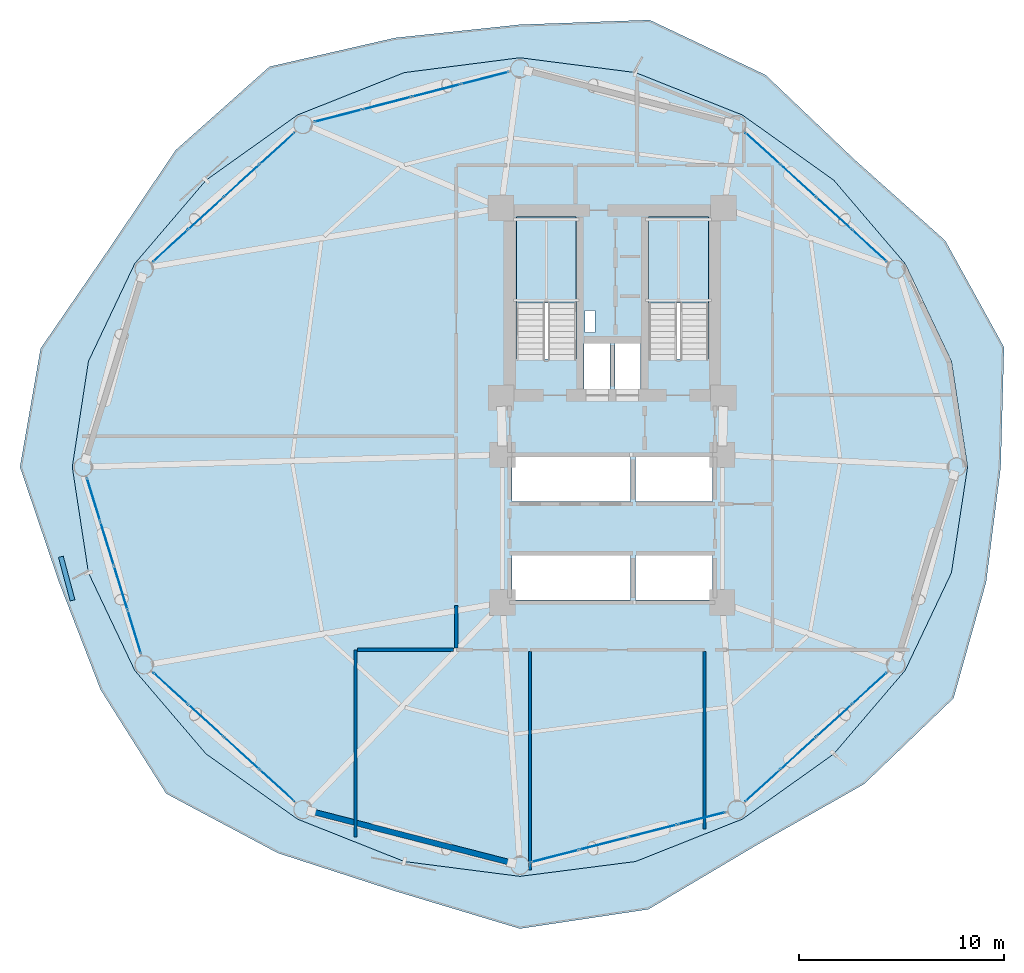
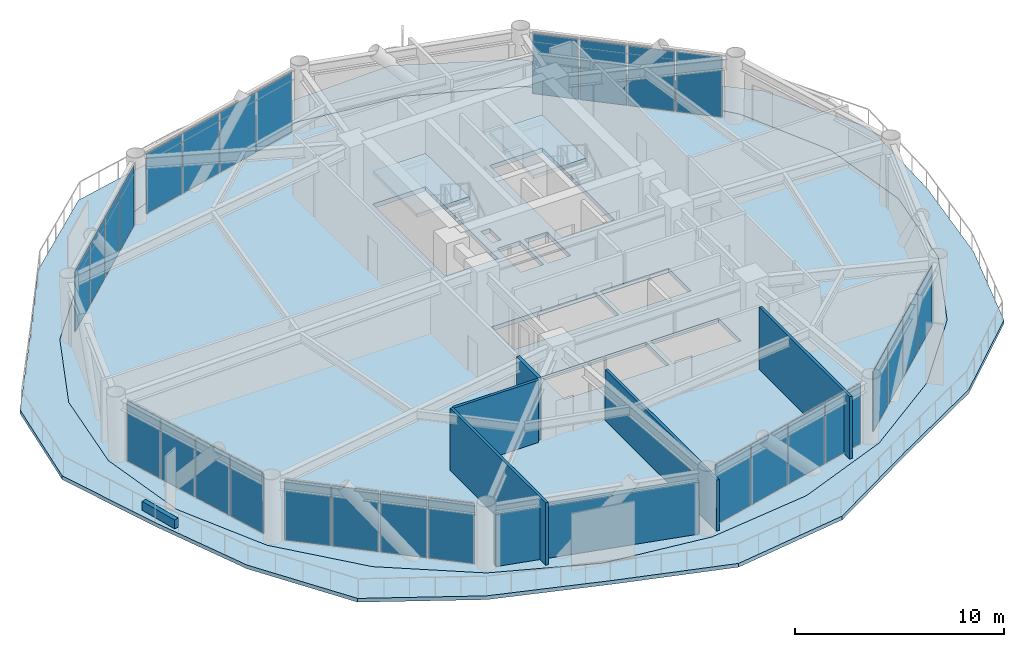
# One storey, part 19 of 25: 28 plates, 7 walls, 4 slabs, 9 elements without a shape of their own.
"""IFC4 building model written with IfcOpenShell, lengths in metres."""

from ifc_helpers import new_model, si_unit, direction, frame, frame_2d, origin, origin_2d, place, context, subcontext, project, spatial, polyline, rectangle, outline, extrude, source, transform, mapped, material, layer, layer_set, type_object, type_shapes, element, aggregate, save


model = new_model("IFC4")

# Units and contexts
model_context = context("Model", 3, precision=1e-05, world=origin(), true_north=direction((0.0, 1.0)))
body_context = subcontext(model_context, "Body", "Model", "MODEL_VIEW")
ifc_project = project(units=[si_unit("LENGTHUNIT", "METRE"), si_unit("AREAUNIT", "SQUARE_METRE"), si_unit("VOLUMEUNIT", "CUBIC_METRE"), si_unit("PLANEANGLEUNIT", "RADIAN"), si_unit("MASSUNIT", "GRAM", prefix="KILO")], contexts=[model_context])

# Site, building, storey
site_placement = place(None, origin())
site = spatial("IfcSite", under=ifc_project, at=site_placement, CompositionType="ELEMENT")
building_placement = place(site_placement, origin())
building = spatial("IfcBuilding", under=site, at=building_placement, Name="Varnakorn Sky Granary", CompositionType="ELEMENT")
storey_placement = place(building_placement, frame((0.0, 0.0, 54.89990234375)))
storey = spatial("IfcBuildingStorey", under=building, at=storey_placement, Name="L13", CompositionType="ELEMENT", Elevation=54.89990234375)

# Stair, slab
ifc_material_1 = material(Name="Concrete C40/50", Category="concrete")
stair_type = type_object("IfcStairType", Name="ST-MAIN-ASSEMBLY", PredefinedType="HALF_TURN_STAIR", material=ifc_material_1)
stair_1_placement = place(storey_placement, origin())
stair_1 = element("IfcStair", 1, at=stair_1_placement, inside=storey, type_object=stair_type, Name="L13 Protected Exit Stair ST-1", PredefinedType="HALF_TURN_STAIR")
ifc_layer_1 = layer(ifc_material_1, 0.199951171875, Name="Concrete C40/50")
ifc_layer_set_1 = layer_set([ifc_layer_1], Name="Concrete C40/50")
slab_type_1 = type_object("IfcSlabType", Name="ST-MAIN-LAND", PredefinedType="LANDING", material=ifc_layer_set_1)
slab_1_placement = place(storey_placement, frame((0.0, 0.0, 1.75)))
slab_1 = element("IfcSlab", 2, at=slab_1_placement, type_object=slab_type_1, Name="ST-1 landing 1", PredefinedType="LANDING", context=body_context, shape_type="SweptSolid", body=[
    extrude(outline(polyline([(1.239990234375, 8.0), (1.239990234375, 12.179931640625), (-1.669921875, 12.179931640625), (-1.669921875, 8.0), (1.239990234375, 8.0)])), origin(), (0.0, 0.0, 1.0), 0.2001953125),
])
aggregate(stair_1, [slab_1])

stair_2_placement = place(storey_placement, origin())
stair_2 = element("IfcStair", 3, at=stair_2_placement, inside=storey, type_object=stair_type, Name="L13 Protected Exit Stair ST-2", PredefinedType="HALF_TURN_STAIR")
slab_2_placement = place(storey_placement, frame((0.0, 0.0, 1.75)))
slab_2 = element("IfcSlab", 4, at=slab_2_placement, type_object=slab_type_1, Name="ST-2 landing 1", PredefinedType="LANDING", context=body_context, shape_type="SweptSolid", body=[
    extrude(outline(polyline([(7.679931640625, 8.0), (7.679931640625, 12.179931640625), (4.77001953125, 12.179931640625), (4.77001953125, 8.0), (7.679931640625, 8.0)])), origin(), (0.0, 0.0, 1.0), 0.2001953125),
])
aggregate(stair_2, [slab_2])

# Slabs
ifc_material_2 = material(Name="Precast concrete C40/50", Category="concrete")
ifc_layer_2 = layer(ifc_material_2, 0.219970703125, Name="Precast concrete C40/50")
ifc_layer_set_2 = layer_set([ifc_layer_2], Name="Precast concrete C40/50")
slab_type_2 = type_object("IfcSlabType", Name="ST-SL-DECK-220", PredefinedType="FLOOR", material=ifc_layer_set_2)
slab_3_placement = place(storey_placement, frame((0.0, 0.0, -0.219970703125)))
element("IfcSlab", 5, at=slab_3_placement, inside=storey, type_object=slab_type_2, Name="Wavy Sky-Farm Balcony Deck L13", PredefinedType="FLOOR", context=body_context, shape_type="SweptSolid", body=[
    extrude(outline(polyline([(21.917236328125, 0.0), (22.078857421875, 5.834716796875), (19.215087890625, 11.0263671875), (14.794677734375, 14.974365234375), (10.4599609375, 19.098388671875), (4.81787109375, 21.775390625), (-1.5, 21.55029296875), (-7.584716796875, 20.904541015625), (-13.693359375, 19.50244140625), (-18.26123046875, 15.441162109375), (-21.51513671875, 10.622314453125), (-24.845458984375, 5.772216796875), (-25.8505859375, 0.0), (-23.974609375, -5.538818359375), (-21.919189453125, -10.855712890625), (-18.727783203125, -15.90771484375), (-13.2890625, -18.802490234375), (-7.522216796875, -20.671142578125), (-1.5, -22.483642578125), (4.75537109375, -21.5419921875), (10.0556640625, -18.398193359375), (15.26123046875, -15.441162109375), (19.619384765625, -11.259765625), (21.2080078125, -5.601318359375), (21.917236328125, 0.0)]), holes=[polyline([(20.303955078125, 0.0), (19.517578125, 5.1484375), (17.265869140625, 9.90087890625), (13.79052734375, 13.97021484375), (9.33447265625, 17.14892578125), (4.131591796875, 19.214111328125), (-1.5, 19.93701171875), (-7.131591796875, 19.214111328125), (-12.33447265625, 17.14892578125), (-16.79052734375, 13.97021484375), (-20.265869140625, 9.90087890625), (-22.517578125, 5.1484375), (-23.303955078125, 0.0), (-22.517578125, -5.1484375), (-20.265869140625, -9.90087890625), (-16.79052734375, -13.97021484375), (-12.33447265625, -17.14892578125), (-7.131591796875, -19.214111328125), (-1.5, -19.93701171875), (4.131591796875, -19.214111328125), (9.33447265625, -17.14892578125), (13.79052734375, -13.97021484375), (17.265869140625, -9.90087890625), (19.517578125, -5.1484375), (20.303955078125, 0.0)])]), origin(), (0.0, 0.0, 1.0), 0.219970703125),
])
ifc_material_3 = material(Name="Concrete C50/60", Category="concrete")
ifc_layer_3 = layer(ifc_material_3, 0.260009765625, Name="Concrete C50/60")
ifc_layer_set_3 = layer_set([ifc_layer_3], Name="Concrete C50/60")
slab_type_3 = type_object("IfcSlabType", Name="ST-SL-TWR-260", PredefinedType="FLOOR", material=ifc_layer_set_3)
slab_4_placement = place(storey_placement, frame((0.0, 0.0, -0.260009765625)))
element("IfcSlab", 6, at=slab_4_placement, inside=storey, type_object=slab_type_3, Name="Level L13 Structural Floor Slab", PredefinedType="FLOOR", context=body_context, shape_type="SweptSolid", body=[
    extrude(outline(polyline([(20.303955078125, 0.0), (19.517578125, 5.1484375), (17.265869140625, 9.90087890625), (13.79052734375, 13.97021484375), (9.33447265625, 17.14892578125), (4.131591796875, 19.214111328125), (-1.5, 19.93701171875), (-7.131591796875, 19.214111328125), (-12.33447265625, 17.14892578125), (-16.79052734375, 13.97021484375), (-20.265869140625, 9.90087890625), (-22.517578125, 5.1484375), (-23.303955078125, 0.0), (-22.517578125, -5.1484375), (-20.265869140625, -9.90087890625), (-16.79052734375, -13.97021484375), (-12.33447265625, -17.14892578125), (-7.131591796875, -19.214111328125), (-1.5, -19.93701171875), (4.131591796875, -19.214111328125), (9.33447265625, -17.14892578125), (13.79052734375, -13.97021484375), (17.265869140625, -9.90087890625), (19.517578125, -5.1484375), (20.303955078125, 0.0)]), holes=[polyline([(1.239990234375, 5.27490234375), (1.239990234375, 12.179931640625), (-1.669921875, 12.179931640625), (-1.669921875, 5.27490234375), (1.239990234375, 5.27490234375)]), polyline([(7.679931640625, 5.27490234375), (7.679931640625, 12.179931640625), (4.77001953125, 12.179931640625), (4.77001953125, 5.27490234375), (7.679931640625, 5.27490234375)]), polyline([(1.659912109375, 6.550048828125), (2.14990234375, 6.550048828125), (2.14990234375, 7.6201171875), (1.659912109375, 7.6201171875), (1.659912109375, 6.550048828125)]), polyline([(1.6201171875, 3.739990234375), (2.8798828125, 3.739990234375), (2.8798828125, 6.010009765625), (1.6201171875, 6.010009765625), (1.6201171875, 3.739990234375)]), polyline([(3.1201171875, 3.739990234375), (4.3798828125, 3.739990234375), (4.3798828125, 6.010009765625), (3.1201171875, 6.010009765625), (3.1201171875, 3.739990234375)]), polyline([(-1.8798828125, -1.679931640625), (3.8798828125, -1.679931640625), (3.8798828125, 0.47998046875), (-1.8798828125, 0.47998046875), (-1.8798828125, -1.679931640625)]), polyline([(4.1201171875, -1.679931640625), (7.8798828125, -1.679931640625), (7.8798828125, 0.47998046875), (4.1201171875, 0.47998046875), (4.1201171875, -1.679931640625)]), polyline([(-1.8798828125, -6.47998046875), (3.8798828125, -6.47998046875), (3.8798828125, -4.320068359375), (-1.8798828125, -4.320068359375), (-1.8798828125, -6.47998046875)]), polyline([(4.1201171875, -6.47998046875), (7.8798828125, -6.47998046875), (7.8798828125, -4.320068359375), (4.1201171875, -4.320068359375), (4.1201171875, -6.47998046875)])]), origin(), (0.0, 0.0, 1.0), 0.260009765625),
])

# Curtain wall, plates
ifc_material_4 = material(Name="Anodised Bronze Aluminium Alloy 6063-T6", Category="aluminium")
ifc_layer_4 = layer(ifc_material_4, 0.18994140625, Name="Anodised Bronze Aluminium Alloy 6063-T6")
ifc_layer_set_4 = layer_set([ifc_layer_4], Name="Anodised Bronze Aluminium Alloy 6063-T6")
curtain_wall_type = type_object("IfcCurtainWallType", Name="CW-FRM-1", PredefinedType="USERDEFINED", material=ifc_layer_set_4)
curtain_wall_1_placement = place(storey_placement, origin())
curtain_wall_1 = element("IfcCurtainWall", 7, at=curtain_wall_1_placement, inside=storey, type_object=curtain_wall_type, Name="Unitised Curtain Wall CW3 CW-L13-B02", ObjectType="CURTAIN WALL", PredefinedType="USERDEFINED")
ifc_material_5 = material(Name="Low-E Tinted Laminated Glass", Category="glass")
ifc_layer_5 = layer(ifc_material_5, 0.028076171875, Name="Low-E Tinted Laminated Glass")
ifc_layer_set_5 = layer_set([ifc_layer_5], Name="Low-E Tinted Laminated Glass")
plate_type = type_object("IfcPlateType", Name="CW-FRM-1-PNL", PredefinedType="CURTAIN_PANEL")
shared_shape_1 = source(origin(), body_context, "Body", "SweptSolid", [
    extrude(rectangle(XDim=2.25146484375, YDim=0.028076171875, at=origin_2d()), origin(), (0.0, 0.0, 1.0), 3.5),
])
plate_1_placement = place(storey_placement, frame((10.3251953125, 15.518798828125, 0.070068359375), z_axis=(0.0, 0.0, 1.0), x_axis=(0.739017205072, -0.673686552194, 0.0)))
plate_1 = element("IfcPlate", 8, at=plate_1_placement, type_object=plate_type, material=ifc_layer_set_5, Name="CW3 vision glazing unit 1.1", PredefinedType="CURTAIN_PANEL", context=body_context, shape_type="MappedRepresentation", body=[
    mapped(shared_shape_1, transform((0.0, 0.0, 0.0), x_axis=(1.0, 0.0, 0.0), y_axis=(0.0, 1.0, 0.0), z_axis=(0.0, 0.0, 1.0), scale=1.0)),
])
plate_2_placement = place(storey_placement, frame((15.52392578125, 10.77978515625, 0.070068359375), z_axis=(0.0, 0.0, 1.0), x_axis=(0.739017205072, -0.673686552194, 0.0)))
plate_2 = element("IfcPlate", 9, at=plate_2_placement, type_object=plate_type, material=ifc_layer_set_5, Name="CW3 vision glazing unit 4.1", PredefinedType="CURTAIN_PANEL", context=body_context, shape_type="MappedRepresentation", body=[
    mapped(shared_shape_1, transform((0.0, 0.0, 0.0), x_axis=(1.0, 0.0, 0.0), y_axis=(0.0, 1.0, 0.0), z_axis=(0.0, 0.0, 1.0), scale=1.0)),
])

curtain_wall_2_placement = place(storey_placement, origin())
curtain_wall_2 = element("IfcCurtainWall", 10, at=curtain_wall_2_placement, inside=storey, type_object=curtain_wall_type, Name="Unitised Curtain Wall CW3 CW-L13-B05", ObjectType="CURTAIN WALL", PredefinedType="USERDEFINED")
plate_3_placement = place(storey_placement, frame((-18.52392578125, 10.77978515625, 0.070068359375), z_axis=(0.0, 0.0, 1.0), x_axis=(0.739017205072, 0.673686552194, 0.0)))
plate_3 = element("IfcPlate", 11, at=plate_3_placement, type_object=plate_type, material=ifc_layer_set_5, Name="CW3 vision glazing unit 1.1", PredefinedType="CURTAIN_PANEL", context=body_context, shape_type="MappedRepresentation", body=[
    mapped(shared_shape_1, transform((0.0, 0.0, 0.0), x_axis=(1.0, 0.0, 0.0), y_axis=(0.0, 1.0, 0.0), z_axis=(0.0, 0.0, 1.0), scale=1.0)),
])
plate_4_placement = place(storey_placement, frame((-13.3251953125, 15.518798828125, 0.070068359375), z_axis=(0.0, 0.0, 1.0), x_axis=(0.739017205072, 0.673686552194, 0.0)))
plate_4 = element("IfcPlate", 12, at=plate_4_placement, type_object=plate_type, material=ifc_layer_set_5, Name="CW3 vision glazing unit 4.1", PredefinedType="CURTAIN_PANEL", context=body_context, shape_type="MappedRepresentation", body=[
    mapped(shared_shape_1, transform((0.0, 0.0, 0.0), x_axis=(1.0, 0.0, 0.0), y_axis=(0.0, 1.0, 0.0), z_axis=(0.0, 0.0, 1.0), scale=1.0)),
])

curtain_wall_3_placement = place(storey_placement, origin())
curtain_wall_3 = element("IfcCurtainWall", 13, at=curtain_wall_3_placement, inside=storey, type_object=curtain_wall_type, Name="Unitised Curtain Wall CW3 CW-L13-B08", ObjectType="CURTAIN WALL", PredefinedType="USERDEFINED")
plate_5_placement = place(storey_placement, frame((-13.3251953125, -15.518798828125, 0.070068359375), z_axis=(0.0, 0.0, 1.0), x_axis=(-0.739017205072, 0.673686552194, 0.0)))
plate_5 = element("IfcPlate", 14, at=plate_5_placement, type_object=plate_type, material=ifc_layer_set_5, Name="CW3 vision glazing unit 1.1", PredefinedType="CURTAIN_PANEL", context=body_context, shape_type="MappedRepresentation", body=[
    mapped(shared_shape_1, transform((0.0, 0.0, 0.0), x_axis=(1.0, 0.0, 0.0), y_axis=(0.0, 1.0, 0.0), z_axis=(0.0, 0.0, 1.0), scale=1.0)),
])
plate_6_placement = place(storey_placement, frame((-18.52392578125, -10.77978515625, 0.070068359375), z_axis=(0.0, 0.0, 1.0), x_axis=(-0.739017205072, 0.673686552194, 0.0)))
plate_6 = element("IfcPlate", 15, at=plate_6_placement, type_object=plate_type, material=ifc_layer_set_5, Name="CW3 vision glazing unit 4.1", PredefinedType="CURTAIN_PANEL", context=body_context, shape_type="MappedRepresentation", body=[
    mapped(shared_shape_1, transform((0.0, 0.0, 0.0), x_axis=(1.0, 0.0, 0.0), y_axis=(0.0, 1.0, 0.0), z_axis=(0.0, 0.0, 1.0), scale=1.0)),
])

curtain_wall_4_placement = place(storey_placement, origin())
curtain_wall_4 = element("IfcCurtainWall", 16, at=curtain_wall_4_placement, inside=storey, type_object=curtain_wall_type, Name="Unitised Curtain Wall CW3 CW-L13-B11", ObjectType="CURTAIN WALL", PredefinedType="USERDEFINED")
plate_7_placement = place(storey_placement, frame((15.52392578125, -10.77978515625, 0.070068359375), z_axis=(0.0, 0.0, 1.0), x_axis=(-0.739017205072, -0.673686552194, 0.0)))
plate_7 = element("IfcPlate", 17, at=plate_7_placement, type_object=plate_type, material=ifc_layer_set_5, Name="CW3 vision glazing unit 1.1", PredefinedType="CURTAIN_PANEL", context=body_context, shape_type="MappedRepresentation", body=[
    mapped(shared_shape_1, transform((0.0, 0.0, 0.0), x_axis=(1.0, 0.0, 0.0), y_axis=(0.0, 1.0, 0.0), z_axis=(0.0, 0.0, 1.0), scale=1.0)),
])
plate_8_placement = place(storey_placement, frame((10.3251953125, -15.518798828125, 0.070068359375), z_axis=(0.0, 0.0, 1.0), x_axis=(-0.739017205072, -0.673686552194, 0.0)))
plate_8 = element("IfcPlate", 18, at=plate_8_placement, type_object=plate_type, material=ifc_layer_set_5, Name="CW3 vision glazing unit 4.1", PredefinedType="CURTAIN_PANEL", context=body_context, shape_type="MappedRepresentation", body=[
    mapped(shared_shape_1, transform((0.0, 0.0, 0.0), x_axis=(1.0, 0.0, 0.0), y_axis=(0.0, 1.0, 0.0), z_axis=(0.0, 0.0, 1.0), scale=1.0)),
])

# Plate
ifc_material_6 = material(Name="Opaque Insulated Aluminium Shadow-Box Unit", Category="aluminium")
ifc_layer_6 = layer(ifc_material_6, 0.028076171875, Name="Opaque Insulated Aluminium Shadow-Box Unit")
ifc_layer_set_6 = layer_set([ifc_layer_6], Name="Opaque Insulated Aluminium Shadow-Box Unit")
shared_shape_2 = source(origin(), body_context, "Body", "SweptSolid", [
    extrude(rectangle(XDim=2.286376953125, YDim=0.028076171875, at=origin_2d()), origin(), (0.0, 0.0, 1.0), 3.5),
])
plate_9_placement = place(storey_placement, frame((12.0537109375, 13.943115234375, 0.070068359375), z_axis=(0.0, 0.0, 1.0), x_axis=(0.739017205072, -0.673686552194, 0.0)))
plate_9 = element("IfcPlate", 19, at=plate_9_placement, type_object=plate_type, material=ifc_layer_set_6, Name="CW3 opaque insulated shadow-box unit 2.1", PredefinedType="CURTAIN_PANEL", context=body_context, shape_type="MappedRepresentation", body=[
    mapped(shared_shape_2, transform((0.0, 0.0, 0.0), x_axis=(1.0, 0.0, 0.0), y_axis=(0.0, 1.0, 0.0), z_axis=(0.0, 0.0, 1.0), scale=1.0)),
])

plate_10_placement = place(storey_placement, frame((13.795166015625, 12.35546875, 0.070068359375), z_axis=(0.0, 0.0, 1.0), x_axis=(0.739017205072, -0.673686552194, 0.0)))
plate_10 = element("IfcPlate", 20, at=plate_10_placement, type_object=plate_type, material=ifc_layer_set_6, Name="CW3 opaque insulated shadow-box unit 3.1", PredefinedType="CURTAIN_PANEL", context=body_context, shape_type="MappedRepresentation", body=[
    mapped(shared_shape_2, transform((0.0, 0.0, 0.0), x_axis=(1.0, 0.0, 0.0), y_axis=(0.0, 1.0, 0.0), z_axis=(0.0, 0.0, 1.0), scale=1.0)),
])

aggregate(curtain_wall_1, [plate_1, plate_9, plate_10, plate_2])

plate_11_placement = place(storey_placement, frame((-16.795166015625, 12.35546875, 0.070068359375), z_axis=(0.0, 0.0, 1.0), x_axis=(0.739017205072, 0.673686552194, 0.0)))
plate_11 = element("IfcPlate", 21, at=plate_11_placement, type_object=plate_type, material=ifc_layer_set_6, Name="CW3 opaque insulated shadow-box unit 2.1", PredefinedType="CURTAIN_PANEL", context=body_context, shape_type="MappedRepresentation", body=[
    mapped(shared_shape_2, transform((0.0, 0.0, 0.0), x_axis=(1.0, 0.0, 0.0), y_axis=(0.0, 1.0, 0.0), z_axis=(0.0, 0.0, 1.0), scale=1.0)),
])

plate_12_placement = place(storey_placement, frame((-15.0537109375, 13.943115234375, 0.070068359375), z_axis=(0.0, 0.0, 1.0), x_axis=(0.739017205072, 0.673686552194, 0.0)))
plate_12 = element("IfcPlate", 22, at=plate_12_placement, type_object=plate_type, material=ifc_layer_set_6, Name="CW3 opaque insulated shadow-box unit 3.1", PredefinedType="CURTAIN_PANEL", context=body_context, shape_type="MappedRepresentation", body=[
    mapped(shared_shape_2, transform((0.0, 0.0, 0.0), x_axis=(1.0, 0.0, 0.0), y_axis=(0.0, 1.0, 0.0), z_axis=(0.0, 0.0, 1.0), scale=1.0)),
])

aggregate(curtain_wall_2, [plate_3, plate_11, plate_12, plate_4])

plate_13_placement = place(storey_placement, frame((-15.0537109375, -13.943115234375, 0.070068359375), z_axis=(0.0, 0.0, 1.0), x_axis=(-0.739017205072, 0.673686552194, 0.0)))
plate_13 = element("IfcPlate", 23, at=plate_13_placement, type_object=plate_type, material=ifc_layer_set_6, Name="CW3 opaque insulated shadow-box unit 2.1", PredefinedType="CURTAIN_PANEL", context=body_context, shape_type="MappedRepresentation", body=[
    mapped(shared_shape_2, transform((0.0, 0.0, 0.0), x_axis=(1.0, 0.0, 0.0), y_axis=(0.0, 1.0, 0.0), z_axis=(0.0, 0.0, 1.0), scale=1.0)),
])

plate_14_placement = place(storey_placement, frame((-16.795166015625, -12.35546875, 0.070068359375), z_axis=(0.0, 0.0, 1.0), x_axis=(-0.739017205072, 0.673686552194, 0.0)))
plate_14 = element("IfcPlate", 24, at=plate_14_placement, type_object=plate_type, material=ifc_layer_set_6, Name="CW3 opaque insulated shadow-box unit 3.1", PredefinedType="CURTAIN_PANEL", context=body_context, shape_type="MappedRepresentation", body=[
    mapped(shared_shape_2, transform((0.0, 0.0, 0.0), x_axis=(1.0, 0.0, 0.0), y_axis=(0.0, 1.0, 0.0), z_axis=(0.0, 0.0, 1.0), scale=1.0)),
])

aggregate(curtain_wall_3, [plate_5, plate_13, plate_14, plate_6])

plate_15_placement = place(storey_placement, frame((13.795166015625, -12.35546875, 0.070068359375), z_axis=(0.0, 0.0, 1.0), x_axis=(-0.739017205072, -0.673686552194, 0.0)))
plate_15 = element("IfcPlate", 25, at=plate_15_placement, type_object=plate_type, material=ifc_layer_set_6, Name="CW3 opaque insulated shadow-box unit 2.1", PredefinedType="CURTAIN_PANEL", context=body_context, shape_type="MappedRepresentation", body=[
    mapped(shared_shape_2, transform((0.0, 0.0, 0.0), x_axis=(1.0, 0.0, 0.0), y_axis=(0.0, 1.0, 0.0), z_axis=(0.0, 0.0, 1.0), scale=1.0)),
])

plate_16_placement = place(storey_placement, frame((12.0537109375, -13.943115234375, 0.070068359375), z_axis=(0.0, 0.0, 1.0), x_axis=(-0.739017205072, -0.673686552194, 0.0)))
plate_16 = element("IfcPlate", 26, at=plate_16_placement, type_object=plate_type, material=ifc_layer_set_6, Name="CW3 opaque insulated shadow-box unit 3.1", PredefinedType="CURTAIN_PANEL", context=body_context, shape_type="MappedRepresentation", body=[
    mapped(shared_shape_2, transform((0.0, 0.0, 0.0), x_axis=(1.0, 0.0, 0.0), y_axis=(0.0, 1.0, 0.0), z_axis=(0.0, 0.0, 1.0), scale=1.0)),
])

aggregate(curtain_wall_4, [plate_7, plate_15, plate_16, plate_8])

# Curtain wall, plates
curtain_wall_5_placement = place(storey_placement, origin())
curtain_wall_5 = element("IfcCurtainWall", 27, at=curtain_wall_5_placement, inside=storey, type_object=curtain_wall_type, Name="Unitised Curtain Wall CW3 CW-L13-B04", ObjectType="CURTAIN WALL", PredefinedType="USERDEFINED")
shared_shape_3 = source(origin(), body_context, "Body", "SweptSolid", [
    extrude(rectangle(XDim=2.3623046875, YDim=0.028076171875, at=origin_2d()), origin(), (0.0, 0.0, 1.0), 3.5),
])
plate_17_placement = place(storey_placement, frame((-10.34716796875, 17.11279296875, 0.070068359375), z_axis=(0.0, 0.0, 1.0), x_axis=(0.96851485506, 0.248955770225, 0.0)))
plate_17 = element("IfcPlate", 28, at=plate_17_placement, type_object=plate_type, material=ifc_layer_set_5, Name="CW3 vision glazing unit 1.1", PredefinedType="CURTAIN_PANEL", context=body_context, shape_type="MappedRepresentation", body=[
    mapped(shared_shape_3, transform((0.0, 0.0, 0.0), x_axis=(1.0, 0.0, 0.0), y_axis=(0.0, 1.0, 0.0), z_axis=(0.0, 0.0, 1.0), scale=1.0)),
])
plate_18_placement = place(storey_placement, frame((-3.21240234375, 18.94677734375, 0.070068359375), z_axis=(0.0, 0.0, 1.0), x_axis=(0.96851485506, 0.248955770225, 0.0)))
plate_18 = element("IfcPlate", 29, at=plate_18_placement, type_object=plate_type, material=ifc_layer_set_5, Name="CW3 vision glazing unit 4.1", PredefinedType="CURTAIN_PANEL", context=body_context, shape_type="MappedRepresentation", body=[
    mapped(shared_shape_3, transform((0.0, 0.0, 0.0), x_axis=(1.0, 0.0, 0.0), y_axis=(0.0, 1.0, 0.0), z_axis=(0.0, 0.0, 1.0), scale=1.0)),
])

curtain_wall_6_placement = place(storey_placement, origin())
curtain_wall_6 = element("IfcCurtainWall", 30, at=curtain_wall_6_placement, inside=storey, type_object=curtain_wall_type, Name="Unitised Curtain Wall CW3 CW-L13-B10", ObjectType="CURTAIN WALL", PredefinedType="USERDEFINED")
plate_19_placement = place(storey_placement, frame((7.34716796875, -17.11279296875, 0.070068359375), z_axis=(0.0, 0.0, 1.0), x_axis=(-0.96851485506, -0.248955770225, 0.0)))
plate_19 = element("IfcPlate", 31, at=plate_19_placement, type_object=plate_type, material=ifc_layer_set_5, Name="CW3 vision glazing unit 1.1", PredefinedType="CURTAIN_PANEL", context=body_context, shape_type="MappedRepresentation", body=[
    mapped(shared_shape_3, transform((0.0, 0.0, 0.0), x_axis=(1.0, 0.0, 0.0), y_axis=(0.0, 1.0, 0.0), z_axis=(0.0, 0.0, 1.0), scale=1.0)),
])
plate_20_placement = place(storey_placement, frame((0.21240234375, -18.94677734375, 0.070068359375), z_axis=(0.0, 0.0, 1.0), x_axis=(-0.96851485506, -0.248955770225, 0.0)))
plate_20 = element("IfcPlate", 32, at=plate_20_placement, type_object=plate_type, material=ifc_layer_set_5, Name="CW3 vision glazing unit 4.1", PredefinedType="CURTAIN_PANEL", context=body_context, shape_type="MappedRepresentation", body=[
    mapped(shared_shape_3, transform((0.0, 0.0, 0.0), x_axis=(1.0, 0.0, 0.0), y_axis=(0.0, 1.0, 0.0), z_axis=(0.0, 0.0, 1.0), scale=1.0)),
])

# Plate
shared_shape_4 = source(origin(), body_context, "Body", "SweptSolid", [
    extrude(rectangle(XDim=2.397216796875, YDim=0.028076171875, at=origin_2d()), origin(), (0.0, 0.0, 1.0), 3.5),
])
plate_21_placement = place(storey_placement, frame((-7.974609375, 17.72265625, 0.070068359375), z_axis=(0.0, 0.0, 1.0), x_axis=(0.96851485506, 0.248955770225, 0.0)))
plate_21 = element("IfcPlate", 33, at=plate_21_placement, type_object=plate_type, material=ifc_layer_set_6, Name="CW3 opaque insulated shadow-box unit 2.1", PredefinedType="CURTAIN_PANEL", context=body_context, shape_type="MappedRepresentation", body=[
    mapped(shared_shape_4, transform((0.0, 0.0, 0.0), x_axis=(1.0, 0.0, 0.0), y_axis=(0.0, 1.0, 0.0), z_axis=(0.0, 0.0, 1.0), scale=1.0)),
])

plate_22_placement = place(storey_placement, frame((-5.5849609375, 18.3369140625, 0.070068359375), z_axis=(0.0, 0.0, 1.0), x_axis=(0.96851485506, 0.248955770225, 0.0)))
plate_22 = element("IfcPlate", 34, at=plate_22_placement, type_object=plate_type, material=ifc_layer_set_6, Name="CW3 opaque insulated shadow-box unit 3.1", PredefinedType="CURTAIN_PANEL", context=body_context, shape_type="MappedRepresentation", body=[
    mapped(shared_shape_4, transform((0.0, 0.0, 0.0), x_axis=(1.0, 0.0, 0.0), y_axis=(0.0, 1.0, 0.0), z_axis=(0.0, 0.0, 1.0), scale=1.0)),
])

aggregate(curtain_wall_5, [plate_17, plate_21, plate_22, plate_18])

plate_23_placement = place(storey_placement, frame((4.974609375, -17.72265625, 0.070068359375), z_axis=(0.0, 0.0, 1.0), x_axis=(-0.96851485506, -0.248955770225, 0.0)))
plate_23 = element("IfcPlate", 35, at=plate_23_placement, type_object=plate_type, material=ifc_layer_set_6, Name="CW3 opaque insulated shadow-box unit 2.1", PredefinedType="CURTAIN_PANEL", context=body_context, shape_type="MappedRepresentation", body=[
    mapped(shared_shape_4, transform((0.0, 0.0, 0.0), x_axis=(1.0, 0.0, 0.0), y_axis=(0.0, 1.0, 0.0), z_axis=(0.0, 0.0, 1.0), scale=1.0)),
])

plate_24_placement = place(storey_placement, frame((2.5849609375, -18.3369140625, 0.070068359375), z_axis=(0.0, 0.0, 1.0), x_axis=(-0.96851485506, -0.248955770225, 0.0)))
plate_24 = element("IfcPlate", 36, at=plate_24_placement, type_object=plate_type, material=ifc_layer_set_6, Name="CW3 opaque insulated shadow-box unit 3.1", PredefinedType="CURTAIN_PANEL", context=body_context, shape_type="MappedRepresentation", body=[
    mapped(shared_shape_4, transform((0.0, 0.0, 0.0), x_axis=(1.0, 0.0, 0.0), y_axis=(0.0, 1.0, 0.0), z_axis=(0.0, 0.0, 1.0), scale=1.0)),
])

aggregate(curtain_wall_6, [plate_19, plate_23, plate_24, plate_20])

# Curtain wall, plates
curtain_wall_7_placement = place(storey_placement, origin())
curtain_wall_7 = element("IfcCurtainWall", 37, at=curtain_wall_7_placement, inside=storey, type_object=curtain_wall_type, Name="Unitised Curtain Wall CW3 CW-L13-B07", ObjectType="CURTAIN WALL", PredefinedType="USERDEFINED")
shared_shape_5 = source(origin(), body_context, "Body", "SweptSolid", [
    extrude(rectangle(XDim=2.154541015625, YDim=0.028076171875, at=origin_2d()), origin(), (0.0, 0.0, 1.0), 3.5),
])
plate_25_placement = place(storey_placement, frame((-20.279541015625, -8.035400390625, 0.070068359375), z_axis=(0.0, 0.0, 1.0), x_axis=(-0.294309757797, 0.955710084945, 0.0)))
plate_25 = element("IfcPlate", 38, at=plate_25_placement, type_object=plate_type, material=ifc_layer_set_5, Name="CW3 vision glazing unit 1.1", PredefinedType="CURTAIN_PANEL", context=body_context, shape_type="MappedRepresentation", body=[
    mapped(shared_shape_5, transform((0.0, 0.0, 0.0), x_axis=(1.0, 0.0, 0.0), y_axis=(0.0, 1.0, 0.0), z_axis=(0.0, 0.0, 1.0), scale=1.0)),
])
plate_26_placement = place(storey_placement, frame((-22.26416015625, -1.590576171875, 0.070068359375), z_axis=(0.0, 0.0, 1.0), x_axis=(-0.294309757797, 0.955710084945, 0.0)))
plate_26 = element("IfcPlate", 39, at=plate_26_placement, type_object=plate_type, material=ifc_layer_set_5, Name="CW3 vision glazing unit 4.1", PredefinedType="CURTAIN_PANEL", context=body_context, shape_type="MappedRepresentation", body=[
    mapped(shared_shape_5, transform((0.0, 0.0, 0.0), x_axis=(1.0, 0.0, 0.0), y_axis=(0.0, 1.0, 0.0), z_axis=(0.0, 0.0, 1.0), scale=1.0)),
])
shared_shape_6 = source(origin(), body_context, "Body", "SweptSolid", [
    extrude(rectangle(XDim=2.189453125, YDim=0.028076171875, at=origin_2d()), origin(), (0.0, 0.0, 1.0), 3.5),
])
type_shapes(plate_type, [shared_shape_1, shared_shape_2, shared_shape_3, shared_shape_4, shared_shape_5, shared_shape_6])
plate_27_placement = place(storey_placement, frame((-20.939208984375, -5.892822265625, 0.070068359375), z_axis=(0.0, 0.0, 1.0), x_axis=(-0.294309757797, 0.955710084945, 0.0)))
plate_27 = element("IfcPlate", 40, at=plate_27_placement, type_object=plate_type, material=ifc_layer_set_6, Name="CW3 opaque insulated shadow-box unit 2.1", PredefinedType="CURTAIN_PANEL", context=body_context, shape_type="MappedRepresentation", body=[
    mapped(shared_shape_6, transform((0.0, 0.0, 0.0), x_axis=(1.0, 0.0, 0.0), y_axis=(0.0, 1.0, 0.0), z_axis=(0.0, 0.0, 1.0), scale=1.0)),
])
plate_28_placement = place(storey_placement, frame((-21.604248046875, -3.733154296875, 0.070068359375), z_axis=(0.0, 0.0, 1.0), x_axis=(-0.294309757797, 0.955710084945, 0.0)))
plate_28 = element("IfcPlate", 41, at=plate_28_placement, type_object=plate_type, material=ifc_layer_set_6, Name="CW3 opaque insulated shadow-box unit 3.1", PredefinedType="CURTAIN_PANEL", context=body_context, shape_type="MappedRepresentation", body=[
    mapped(shared_shape_6, transform((0.0, 0.0, 0.0), x_axis=(1.0, 0.0, 0.0), y_axis=(0.0, 1.0, 0.0), z_axis=(0.0, 0.0, 1.0), scale=1.0)),
])
aggregate(curtain_wall_7, [plate_25, plate_27, plate_28, plate_26])

# Walls
ifc_layer_7 = layer(ifc_material_2, 0.280029296875, Name="Precast concrete C40/50")
ifc_layer_set_7 = layer_set([ifc_layer_7], Name="Precast concrete C40/50")
wall_type_1 = type_object("IfcWallType", Name="WT-EW-CRN-280", PredefinedType="SOLIDWALL", material=ifc_layer_set_7)
wall_1_placement = place(storey_placement, frame((-1.89892578125, -19.284423828125, 0.0), z_axis=(0.0, 0.0, 1.0), x_axis=(-0.968518300778, 0.248942364932, 0.0)))
element("IfcWall", 42, at=wall_1_placement, inside=storey, type_object=wall_type_1, Name="Agritech Insulated Precast Facade Wall L13-P09", PredefinedType="SOLIDWALL", context=body_context, shape_type="SweptSolid", body=[
    extrude(rectangle(XDim=10.078857421875, YDim=0.280029296875, at=frame_2d((5.03955078125, 0.0))), origin(), (0.0, 0.0, 1.0), 3.06005859375),
])
ifc_material_7 = material(Name="Gypsum Plasterboard on Steel Stud", Category="steel")
ifc_layer_8 = layer(ifc_material_7, 0.14990234375, Name="Gypsum Plasterboard on Steel Stud")
ifc_layer_set_8 = layer_set([ifc_layer_8], Name="Gypsum Plasterboard on Steel Stud")
wall_type_2 = type_object("IfcWallType", Name="WT-PART-150", PredefinedType="PARTITIONING", material=ifc_layer_set_8)
wall_2_placement = place(storey_placement, frame((-1.0, -8.985107421875, 0.0), z_axis=(0.0, 0.0, 1.0), x_axis=(0.0, -1.0, 0.0)))
element("IfcWall", 43, at=wall_2_placement, inside=storey, type_object=wall_type_2, Name="Interior Partition Wall L13-036", PredefinedType="PARTITIONING", context=body_context, shape_type="SweptSolid", body=[
    extrude(rectangle(XDim=10.64794921875, YDim=0.14990234375, at=frame_2d((5.323974609375, 0.0))), origin(), (0.0, 0.0, 1.0), 2.97216796875),
])
wall_3_placement = place(storey_placement, frame((-9.5, -18.01806640625, 0.0), z_axis=(0.0, 0.0, 1.0), x_axis=(0.0, 1.0, 0.0)))
element("IfcWall", 44, at=wall_3_placement, inside=storey, type_object=wall_type_2, Name="Interior Partition Wall L13-037", PredefinedType="PARTITIONING", context=body_context, shape_type="SweptSolid", body=[
    extrude(rectangle(XDim=9.1181640625, YDim=0.14990234375, at=frame_2d((4.55908203125, 0.0))), origin(), (0.0, 0.0, 1.0), 3.64013671875),
])
wall_4_placement = place(storey_placement, frame((-9.4150390625, -8.89990234375, 0.0), z_axis=(0.0, 0.0, 1.0), x_axis=(1.0, 0.0, 0.0)))
element("IfcWall", 45, at=wall_4_placement, inside=storey, type_object=wall_type_2, Name="Interior Partition Wall L13-038", PredefinedType="PARTITIONING", context=body_context, shape_type="SweptSolid", body=[
    extrude(rectangle(XDim=4.679931640625, YDim=0.14990234375, at=frame_2d((2.33984375, 0.0))), origin(), (0.0, 0.0, 1.0), 3.64013671875),
])
wall_5_placement = place(storey_placement, frame((7.5, -8.985107421875, 0.0), z_axis=(0.0, 0.0, 1.0), x_axis=(0.0, -1.0, 0.0)))
element("IfcWall", 46, at=wall_5_placement, inside=storey, type_object=wall_type_2, Name="Interior Partition Wall L13-039", PredefinedType="PARTITIONING", context=body_context, shape_type="SweptSolid", body=[
    extrude(rectangle(XDim=8.635986328125, YDim=0.14990234375, at=frame_2d((4.31787109375, 0.0))), origin(), (0.0, 0.0, 1.0), 3.64013671875),
])
ifc_material_8 = material(Name="Moisture-Resistant Gypsum on Stud", Category="gypsum")
ifc_layer_9 = layer(ifc_material_8, 0.179931640625, Name="Moisture-Resistant Gypsum on Stud")
ifc_layer_set_9 = layer_set([ifc_layer_9], Name="Moisture-Resistant Gypsum on Stud")
wall_type_3 = type_object("IfcWallType", Name="WT-PLUMB-180", PredefinedType="PLUMBINGWALL", material=ifc_layer_set_9)
wall_6_placement = place(storey_placement, frame((-4.60009765625, -6.75, 0.0), z_axis=(0.0, 0.0, 1.0), x_axis=(0.0, -1.0, 0.0)))
element("IfcWall", 47, at=wall_6_placement, inside=storey, type_object=wall_type_3, Name="Interior Partition Wall L13-041", PredefinedType="PLUMBINGWALL", context=body_context, shape_type="SweptSolid", body=[
    extrude(rectangle(XDim=2.06494140625, YDim=0.179931640625, at=frame_2d((1.032470703125, 0.0))), origin(), (0.0, 0.0, 1.0), 3.64013671875),
])
ifc_layer_10 = layer(ifc_material_2, 0.239990234375, Name="Precast concrete C40/50")
ifc_layer_set_10 = layer_set([ifc_layer_10], Name="Precast concrete C40/50")
wall_type_4 = type_object("IfcWallType", Name="WT-WP-PLN-240", PredefinedType="PARAPET", material=ifc_layer_set_10)
wall_7_placement = place(storey_placement, frame((-23.860107421875, -4.369384765625, 0.0), z_axis=(0.0, 0.0, 1.0), x_axis=(0.258898792763, -0.965904454439, 0.0)))
element("IfcWall", 48, at=wall_7_placement, inside=storey, type_object=wall_type_4, Name="Sky-Farm Hydroponic Planter Bed PLANTER L13", PredefinedType="PARAPET", context=body_context, shape_type="SweptSolid", body=[
    extrude(rectangle(XDim=2.199951171875, YDim=0.239990234375, at=frame_2d((1.10009765625, 0.0))), origin(), (0.0, 0.0, 1.0), 0.52001953125),
])

save(model, "model.ifc")
